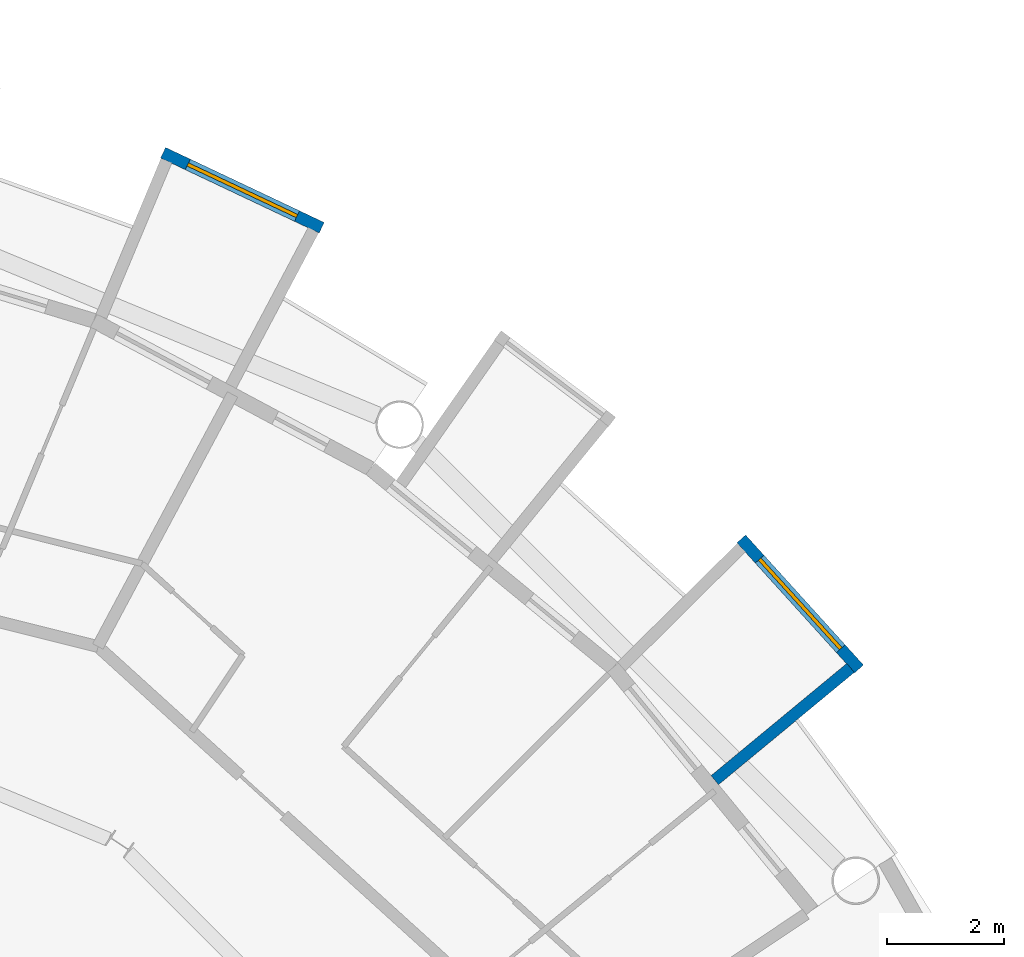
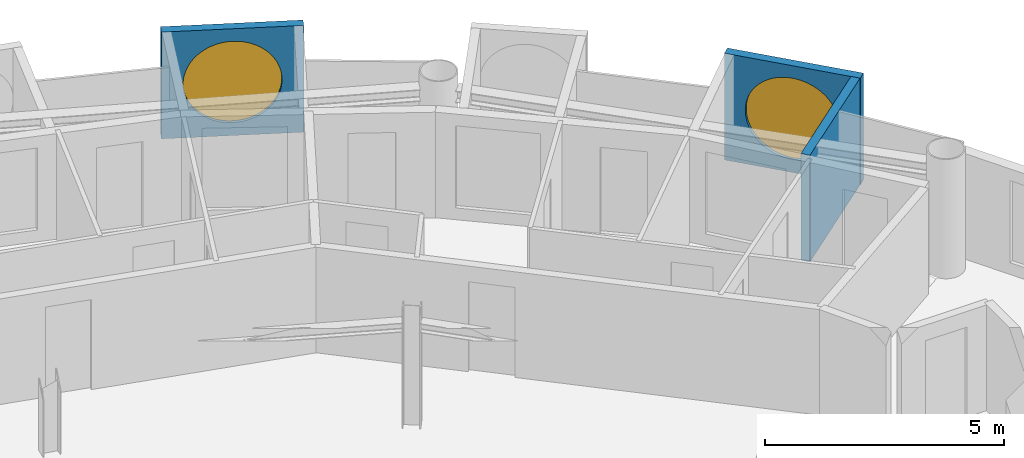
# One storey, part 25 of 29: 3 walls, 2 windows, 2 openings.
"""IFC4 building model written with IfcOpenShell, lengths in metres."""

import ifcopenshell
import ifcopenshell.guid

model = None  # the IFC model being written
_history = None  # IfcOwnerHistory: only IFC2X3 demands one
_inside = {}  # id of a spatial element -> (the spatial element, [elements in it])
_under = {}  # id of a project, library or spatial element -> (it, [spatial elements below it])
_declared = {}  # id of a project -> (the project, [libraries it declares])
_typed = {}  # id of a type object -> (the type object, [elements of that type])
_made_of = {}  # id of a material, layer set ... -> (it, [elements and type objects made of it])


def new_model(schema):
    """Start an empty IFC model of exactly this schema.

    Asked for "IFC4X3", IfcOpenShell would pick the latest addendum, in which some entities
    have other attributes; the version numbers below select the first issue.
    IFC2X3 requires an IfcOwnerHistory on every rooted entity: one is made here for all.
    """
    global model, _history
    if schema == "IFC4X3":
        model = ifcopenshell.file(schema_version=(4, 3, 0, 0))
    else:
        model = ifcopenshell.file(schema=schema)
    _inside.clear()
    _under.clear()
    _declared.clear()
    _typed.clear()
    _made_of.clear()
    _history = None
    if model.schema == "IFC2X3":
        org = make("IfcOrganization", Name="unknown")
        user = make(
            "IfcPersonAndOrganization",
            ThePerson=make("IfcPerson", FamilyName="unknown"),
            TheOrganization=org,
        )
        app = make(
            "IfcApplication",
            ApplicationDeveloper=org,
            Version="unknown",
            ApplicationFullName="unknown",
            ApplicationIdentifier="unknown",
        )
        _history = make(
            "IfcOwnerHistory",
            OwningUser=user,
            OwningApplication=app,
            ChangeAction="ADDED",
            CreationDate=0,
        )
    return model


def make(cls, **values):
    """One entity of the class cls with the attributes given. An attribute that is None is left unset."""
    return model.create_entity(
        cls, **{name: value for name, value in values.items() if value is not None}
    )


def rooted(cls, **values):
    """An entity with a GlobalId (a new one), such as an element, a storey or a relation."""
    return make(cls, GlobalId=ifcopenshell.guid.new(), OwnerHistory=_history, **values)


def si_unit(unit_type, name, prefix=None):
    """IfcSIUnit, for example si_unit("LENGTHUNIT", "METRE", prefix="MILLI")."""
    return make("IfcSIUnit", UnitType=unit_type, Prefix=prefix, Name=name)


def assignment(units):
    """IfcUnitAssignment: the units of a project."""
    return None if units is None else make("IfcUnitAssignment", Units=units)


def point(xyz):
    """IfcCartesianPoint."""
    return None if xyz is None else make("IfcCartesianPoint", Coordinates=xyz)


def direction(xyz):
    """IfcDirection."""
    return None if xyz is None else make("IfcDirection", DirectionRatios=xyz)


def frame(location, z_axis=None, x_axis=None):
    """IfcAxis2Placement3D, a coordinate frame: its origin and axes. An axis left out is left unset."""
    return make(
        "IfcAxis2Placement3D",
        Location=point(location),
        Axis=direction(z_axis),
        RefDirection=direction(x_axis),
    )


def frame_2d(location, x_axis=None):
    """IfcAxis2Placement2D, a coordinate frame in the plane: its origin and x axis."""
    return make(
        "IfcAxis2Placement2D", Location=point(location), RefDirection=direction(x_axis)
    )


def origin():
    """The frame at (0, 0, 0) with its axes left unset."""
    return frame((0.0, 0.0, 0.0))


def place(relative_to, where):
    """IfcLocalPlacement: puts the frame where relative to a parent placement (None: the world)."""
    return make(
        "IfcLocalPlacement", PlacementRelTo=relative_to, RelativePlacement=where
    )


def context(
    kind, dimensions, precision=None, world=None, true_north=None, identifier=None
):
    """IfcGeometricRepresentationContext, for example the 3D "Model" context."""
    return make(
        "IfcGeometricRepresentationContext",
        ContextIdentifier=identifier,
        ContextType=kind,
        CoordinateSpaceDimension=dimensions,
        Precision=precision,
        WorldCoordinateSystem=world,
        TrueNorth=true_north,
    )


def subcontext(parent, identifier, kind, view, scale=None):
    """IfcGeometricRepresentationSubContext, for example "Body" below "Model"."""
    return make(
        "IfcGeometricRepresentationSubContext",
        ContextIdentifier=identifier,
        ContextType=kind,
        ParentContext=parent,
        TargetScale=scale,
        TargetView=view,
    )


def project(units=None, contexts=None):
    """IfcProject with its units and contexts."""
    return rooted(
        "IfcProject",
        Name="project",
        RepresentationContexts=contexts,
        UnitsInContext=assignment(units),
    )


def spatial(cls, under=None, at=None, **own):
    """A site, building, storey or space (cls), placed at a placement, below another one or the project."""
    s = rooted(cls, ObjectPlacement=at, **own)
    if under is not None:
        _under.setdefault(under.id(), (under, []))[1].append(s)
    return s


def profile(cls, at=None, kind="AREA", **sizes):
    """A parametric profile (cls). Its sizes go by their IFC names, for example OverallWidth=200.0."""
    return make(cls, ProfileType=kind, Position=at, **sizes)


def rectangle(**sizes):
    """IfcRectangleProfileDef."""
    return profile("IfcRectangleProfileDef", **sizes)


def circle(**sizes):
    """IfcCircleProfileDef."""
    return profile("IfcCircleProfileDef", **sizes)


def extrude(swept, where, along, depth):
    """IfcExtrudedAreaSolid: the profile swept, set in the frame where, extruded along a direction by depth."""
    return make(
        "IfcExtrudedAreaSolid",
        SweptArea=swept,
        Position=where,
        ExtrudedDirection=direction(along),
        Depth=depth,
    )


def shape(context_of_items, identifier, shape_type, items):
    """IfcShapeRepresentation: the items that make up one representation, for example the "Body"."""
    return make(
        "IfcShapeRepresentation",
        ContextOfItems=context_of_items,
        RepresentationIdentifier=identifier,
        RepresentationType=shape_type,
        Items=items,
    )


def material(Name=None, Category=None):
    """IfcMaterial."""
    return make("IfcMaterial", Name=Name, Category=Category)


def layer(
    of_material, thickness, ventilated=None, Name=None, Category=None, Priority=None
):
    """IfcMaterialLayer: one layer of a wall or slab, of a material (None: an air gap)."""
    return make(
        "IfcMaterialLayer",
        Material=of_material,
        LayerThickness=thickness,
        IsVentilated=ventilated,
        Name=Name,
        Category=Category,
        Priority=Priority,
    )


def layer_set(layers, Name=None):
    """IfcMaterialLayerSet."""
    return make("IfcMaterialLayerSet", MaterialLayers=layers, LayerSetName=Name)


def made_of(thing, what):
    """Note that an element or type object is made of a material, layer set ...; save() writes the relation."""
    if what is not None:
        _made_of.setdefault(what.id(), (what, []))[1].append(thing)
    return thing


def type_object(cls, material=None, **own):
    """A type object (cls), such as IfcWallType, which elements share."""
    return made_of(rooted(cls, **own), material)


def element(
    cls,
    number,
    at=None,
    inside=None,
    cuts=None,
    type_object=None,
    material=None,
    context=None,
    identifier="Body",
    shape_type=None,
    held_by="IfcProductDefinitionShape",
    body=None,
    shapes=None,
    **own,
):
    """One element of the class cls, such as IfcWall. Its Tag is "e" and its number.

    at: its placement. inside: the storey or other place that contains it. cuts: it is an
    opening in that element (IfcRelVoidsElement). A single representation is given by context,
    identifier, shape_type and body (its items); several are given by shapes. held_by: the class
    of the entity that holds the representations. save() writes the other relations.
    """
    e = rooted(cls, Tag="e%d" % number, ObjectPlacement=at, **own)
    if body is not None:
        shapes = [shape(context, identifier, shape_type, body)]
    if shapes is not None:
        e.Representation = make(held_by, Representations=shapes)
    if inside is not None:
        _inside.setdefault(inside.id(), (inside, []))[1].append(e)
    if cuts is not None:
        rooted(
            "IfcRelVoidsElement", RelatingBuildingElement=cuts, RelatedOpeningElement=e
        )
    if type_object is not None:
        _typed.setdefault(type_object.id(), (type_object, []))[1].append(e)
    return made_of(e, material)


def fill(opening, filler):
    """IfcRelFillsElement: the door or window that sits in an opening."""
    return rooted(
        "IfcRelFillsElement",
        RelatingOpeningElement=opening,
        RelatedBuildingElement=filler,
    )


def aggregate(whole, parts):
    """IfcRelAggregates: a whole, such as a stair, and the parts it consists of."""
    return rooted("IfcRelAggregates", RelatingObject=whole, RelatedObjects=parts)


def save(model, path):
    """Write the relations noted so far, then the file.

    IfcRelAggregates (storeys below a building ...), IfcRelContainedInSpatialStructure (elements
    in a storey), IfcRelDefinesByType, IfcRelAssociatesMaterial and IfcRelDeclares: one each for
    every whole, place, type object, material and project.
    """
    for whole, parts in _under.values():
        aggregate(whole, parts)
    for where, things in _inside.values():
        rooted(
            "IfcRelContainedInSpatialStructure",
            RelatedElements=things,
            RelatingStructure=where,
        )
    for kind, things in _typed.values():
        rooted("IfcRelDefinesByType", RelatedObjects=things, RelatingType=kind)
    for what, things in _made_of.values():
        rooted("IfcRelAssociatesMaterial", RelatedObjects=things, RelatingMaterial=what)
    for by, libraries in _declared.values():
        rooted("IfcRelDeclares", RelatingContext=by, RelatedDefinitions=libraries)
    model.write(path)


model = new_model("IFC4")

# Units and contexts
model_context = context("Model", 3, precision=1e-05, world=origin(), true_north=direction((0.0, 1.0)))
body_context = subcontext(model_context, "Body", "Model", "MODEL_VIEW")
ifc_project = project(units=[si_unit("LENGTHUNIT", "METRE"), si_unit("AREAUNIT", "SQUARE_METRE"), si_unit("VOLUMEUNIT", "CUBIC_METRE"), si_unit("PLANEANGLEUNIT", "RADIAN"), si_unit("MASSUNIT", "GRAM", prefix="KILO")], contexts=[model_context])

# Site, building, storey
site_placement = place(None, origin())
site = spatial("IfcSite", under=ifc_project, at=site_placement, CompositionType="ELEMENT")
building_placement = place(site_placement, origin())
building = spatial("IfcBuilding", under=site, at=building_placement, Name="Maasbend Ring Residences", CompositionType="ELEMENT")
storey_placement = place(building_placement, frame((0.0, 0.0, 193.25)))
storey = spatial("IfcBuildingStorey", under=building, at=storey_placement, Name="L55", CompositionType="ELEMENT", Elevation=193.25)

# Wall, opening, window
ifc_material_1 = material(Name="Pale anodised aluminium panel", Category="aluminium")
ifc_layer = layer(ifc_material_1, 0.199951171875)
ifc_layer_set = layer_set([ifc_layer], Name="EW-BOX")
wall_type = type_object("IfcWallType", Name="EW-BOX", PredefinedType="SOLIDWALL", material=ifc_layer_set)
wall_1_placement = place(storey_placement, frame((23.5029296875, 19.281982421875, -0.030029296875), z_axis=(0.0, 0.0, 1.0), x_axis=(-0.671506829416, 0.740998365753, 0.0)))
wall_1 = element("IfcWall", 1, at=wall_1_placement, inside=storey, type_object=wall_type, Name="Box front N02", PredefinedType="SOLIDWALL", context=body_context, shape_type="SweptSolid", body=[
    extrude(rectangle(XDim=2.9931640625, YDim=0.199951171875, at=frame_2d((1.49658203125, 0.0))), origin(), (0.0, 0.0, 1.0), 2.72998046875),
])
opening_1_placement = place(wall_1_placement, frame((0.45654296875, 0.0, 0.330078125)))
opening_1 = element("IfcOpeningElement", 2, at=opening_1_placement, cuts=wall_1, Name="Opening W-RD", PredefinedType="OPENING", context=body_context, shape_type="SweptSolid", body=[
    extrude(circle(Radius=1.0400390625, at=frame_2d((1.0400390625, 1.0400390625))), frame((0.0, 0.10986328125, 0.0), z_axis=(0.0, -1.0, 0.0), x_axis=(1.0, 0.0, 0.0)), (0.0, 0.0, 1.0), 0.219970703125),
])
ifc_material_2 = material(Name="Aluminium and clear glass", Category="aluminium")
window_type = type_object("IfcWindowType", Name="W-RD", PartitioningType="SINGLE_PANEL", PredefinedType="WINDOW", material=ifc_material_2)
window_1_placement = place(opening_1_placement, origin())
window_1 = element("IfcWindow", 3, at=window_1_placement, inside=storey, type_object=window_type, Name="Round window N02", OverallHeight=2.080078125, OverallWidth=2.080078125, PartitioningType="SINGLE_PANEL", PredefinedType="WINDOW", context=body_context, shape_type="SweptSolid", body=[
    extrude(circle(Radius=1.0400390625, at=frame_2d((1.0400390625, 1.0400390625))), frame((0.0, 0.030029296875, 0.0), z_axis=(0.0, -1.0, 0.0), x_axis=(1.0, 0.0, 0.0)), (0.0, 0.0, 1.0), 0.06005859375),
])
fill(opening_1, window_1)

# Wall
wall_2_placement = place(storey_placement, frame((21.041015625, 17.384033203125, -0.030029296875), z_axis=(0.0, 0.0, 1.0), x_axis=(0.770784861449, 0.63709551667, 0.0)))
element("IfcWall", 4, at=wall_2_placement, inside=storey, type_object=wall_type, Name="Box side wall N02 left", PredefinedType="SOLIDWALL", context=body_context, shape_type="SweptSolid", body=[
    extrude(rectangle(XDim=3.005859375, YDim=0.199951171875, at=frame_2d((1.5029296875, 0.0))), origin(), (0.0, 0.0, 1.0), 2.72998046875),
])

# Wall, opening, window
wall_3_placement = place(storey_placement, frame((14.3349609375, 26.80810546875, -0.030029296875), z_axis=(0.0, 0.0, 1.0), x_axis=(-0.904000060331, 0.427532327342, 0.0)))
wall_3 = element("IfcWall", 5, at=wall_3_placement, inside=storey, type_object=wall_type, Name="Box front N06", PredefinedType="SOLIDWALL", context=body_context, shape_type="SweptSolid", body=[
    extrude(rectangle(XDim=2.993408203125, YDim=0.199951171875, at=frame_2d((1.49658203125, 0.0))), origin(), (0.0, 0.0, 1.0), 2.72998046875),
])
opening_2_placement = place(wall_3_placement, frame((0.45654296875, 0.0, 0.330078125)))
opening_2 = element("IfcOpeningElement", 6, at=opening_2_placement, cuts=wall_3, Name="Opening W-RD", PredefinedType="OPENING", context=body_context, shape_type="SweptSolid", body=[
    extrude(circle(Radius=1.0400390625, at=frame_2d((1.0400390625, 1.0400390625))), frame((0.0, 0.10986328125, 0.0), z_axis=(0.0, -1.0, 0.0), x_axis=(1.0, 0.0, 0.0)), (0.0, 0.0, 1.0), 0.219970703125),
])
window_2_placement = place(opening_2_placement, origin())
window_2 = element("IfcWindow", 7, at=window_2_placement, inside=storey, type_object=window_type, Name="Round window N06", OverallHeight=2.080078125, OverallWidth=2.080078125, PartitioningType="SINGLE_PANEL", PredefinedType="WINDOW", context=body_context, shape_type="SweptSolid", body=[
    extrude(circle(Radius=1.0400390625, at=frame_2d((1.0400390625, 1.0400390625))), frame((0.0, 0.030029296875, 0.0), z_axis=(0.0, -1.0, 0.0), x_axis=(1.0, 0.0, 0.0)), (0.0, 0.0, 1.0), 0.06005859375),
])
fill(opening_2, window_2)

save(model, "model.ifc")
